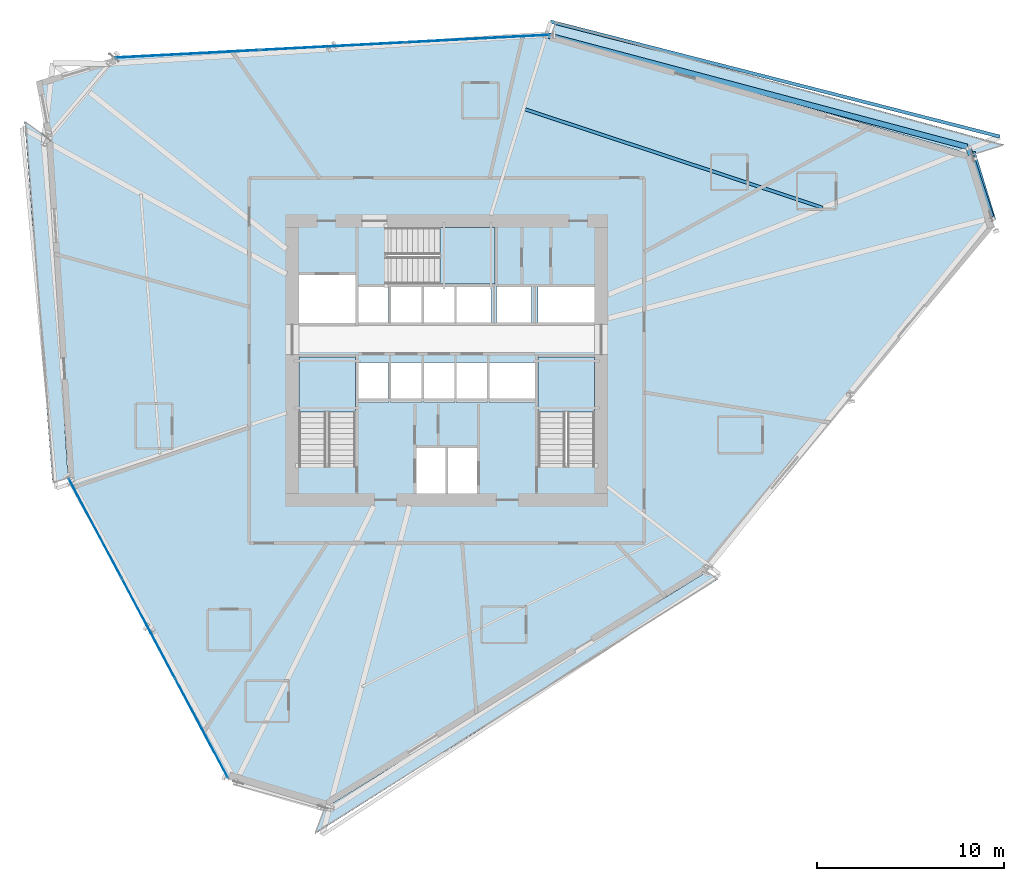
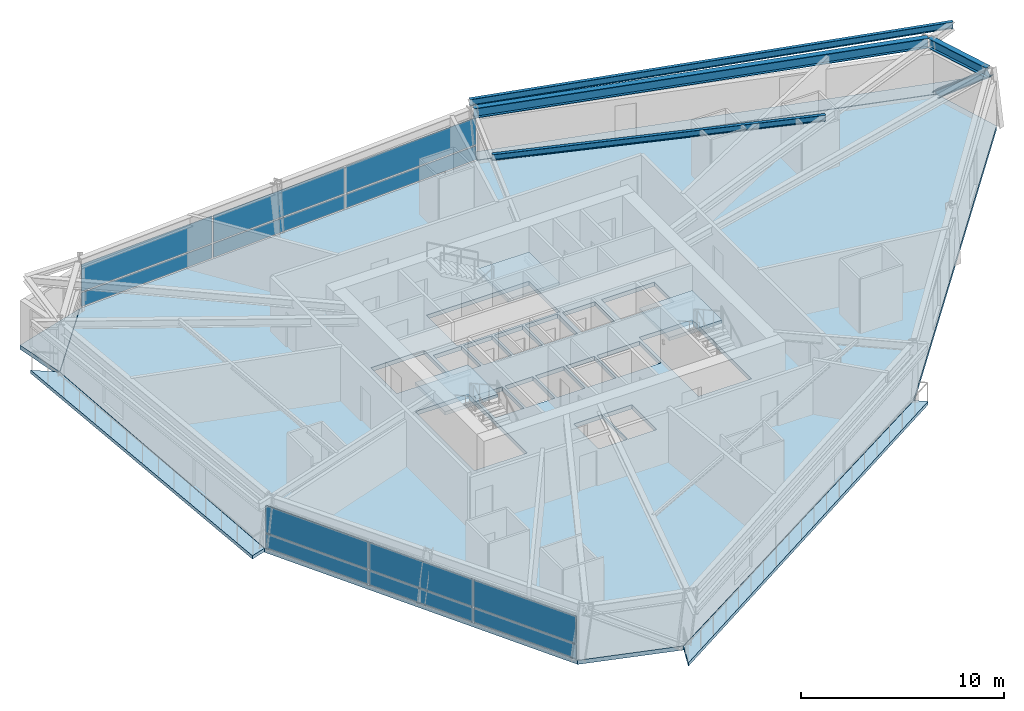
# One storey, part 9 of 21: 12 plates, 8 slabs, 4 beams, 1 member, 5 elements without a shape of their own.
"""IFC4 building model written with IfcOpenShell, lengths in metres."""

from ifc_helpers import new_model, si_unit, direction, frame, origin, origin_2d, place, context, subcontext, project, spatial, polyline, rectangle, i_section, outline, extrude, source, transform, mapped, material, layer, layer_set, material_profile, profile_set, type_object, element, aggregate, save


model = new_model("IFC4")

# Units and contexts
model_context = context("Model", 3, precision=1e-05, world=origin(), true_north=direction((0.0, 1.0)))
body_context = subcontext(model_context, "Body", "Model", "MODEL_VIEW")
ifc_project = project(units=[si_unit("LENGTHUNIT", "METRE"), si_unit("AREAUNIT", "SQUARE_METRE"), si_unit("VOLUMEUNIT", "CUBIC_METRE"), si_unit("PLANEANGLEUNIT", "RADIAN"), si_unit("MASSUNIT", "GRAM", prefix="KILO")], contexts=[model_context])

# Site, building, storey
site_placement = place(None, origin())
site = spatial("IfcSite", under=ifc_project, at=site_placement, CompositionType="ELEMENT")
building_placement = place(site_placement, origin())
building = spatial("IfcBuilding", under=site, at=building_placement, Name="Olszyna Solenne Hotel", CompositionType="ELEMENT")
storey_placement = place(building_placement, frame((0.0, 0.0, 105.699951171875)))
storey = spatial("IfcBuildingStorey", under=building, at=storey_placement, Name="L27", CompositionType="ELEMENT", Elevation=105.699951171875)

# Beams
ifc_material_1 = material(Name="Steel S355J2", Category="steel")
ifc_material_profile_1 = material_profile(ifc_material_1, i_section(OverallWidth=0.300048828125, OverallDepth=0.60009765625, WebThickness=0.015380859375, FlangeThickness=0.030029296875, at=origin_2d()), Name="HEB 600", Category="load-bearing")
ifc_profile_set_1 = profile_set([ifc_material_profile_1], Name="Steel S355J2")
beam_type_1 = type_object("IfcBeamType", Name="BM-S2", PredefinedType="BEAM", material=ifc_profile_set_1)
shared_shape_1 = source(origin(), body_context, "Body", "SweptSolid", [
    extrude(i_section(OverallWidth=0.300048828125, OverallDepth=0.60009765625, WebThickness=0.015380859375, FlangeThickness=0.030029296875, at=origin_2d()), origin(), (0.0, 0.0, 1.0), 3.8603515625),
])
beam_1_placement = place(storey_placement, frame((67.072998046875, 34.271484375, 3.0), z_axis=(-0.311537563109, 0.950233837943, 0.0), x_axis=(-0.950233837943, -0.311537563109, 0.0)))
element("IfcBeam", 1, at=beam_1_placement, inside=storey, type_object=beam_type_1, Name="Perimeter spandrel beam BM-S2 B-L27-0810", PredefinedType="BEAM", context=body_context, shape_type="MappedRepresentation", body=[
    mapped(shared_shape_1, transform((0.0, 0.0, 0.0), x_axis=(1.0, 0.0, 0.0), y_axis=(0.0, 1.0, 0.0), z_axis=(0.0, 0.0, 1.0), scale=1.0)),
])
shared_shape_2 = source(origin(), body_context, "Body", "SweptSolid", [
    extrude(i_section(OverallWidth=0.300048828125, OverallDepth=0.60009765625, WebThickness=0.015380859375, FlangeThickness=0.030029296875, at=origin_2d()), origin(), (0.0, 0.0, 1.0), 23.2333984375),
])
beam_2_placement = place(storey_placement, frame((65.793701171875, 38.011962890625, 3.0), z_axis=(-0.966425826463, 0.256945756817, 0.0), x_axis=(-0.256945756817, -0.966425826463, 0.0)))
element("IfcBeam", 2, at=beam_2_placement, inside=storey, type_object=beam_type_1, Name="Perimeter spandrel beam BM-S2 B-L27-0811", PredefinedType="BEAM", context=body_context, shape_type="MappedRepresentation", body=[
    mapped(shared_shape_2, transform((0.0, 0.0, 0.0), x_axis=(1.0, 0.0, 0.0), y_axis=(0.0, 1.0, 0.0), z_axis=(0.0, 0.0, 1.0), scale=1.0)),
])
ifc_material_profile_2 = material_profile(ifc_material_1, i_section(OverallWidth=0.169921875, OverallDepth=0.360107421875, WebThickness=0.008056640625, FlangeThickness=0.0126953125, at=origin_2d()), Name="IPE 360", Category="load-bearing")
ifc_profile_set_2 = profile_set([ifc_material_profile_2], Name="Steel S355J2")
beam_type_2 = type_object("IfcBeamType", Name="JS-01", PredefinedType="JOIST", material=ifc_profile_set_2)
shared_shape_3 = source(origin(), body_context, "Body", "SweptSolid", [
    extrude(i_section(OverallWidth=0.169921875, OverallDepth=0.360107421875, WebThickness=0.008056640625, FlangeThickness=0.0126953125, at=origin_2d()), origin(), (0.0, 0.0, 1.0), 16.805419921875),
])
beam_3_placement = place(storey_placement, frame((58.077880859375, 34.759033203125, 3.1201171875), z_axis=(-0.949404287156, 0.314056522826, 0.0), x_axis=(-0.314056522826, -0.949404287156, 0.0)))
element("IfcBeam", 3, at=beam_3_placement, inside=storey, type_object=beam_type_2, Name="Secondary composite floor joist JS-01 B-L27-0833", PredefinedType="JOIST", context=body_context, shape_type="MappedRepresentation", body=[
    mapped(shared_shape_3, transform((0.0, 0.0, 0.0), x_axis=(1.0, 0.0, 0.0), y_axis=(0.0, 1.0, 0.0), z_axis=(0.0, 0.0, 1.0), scale=1.0)),
])
ifc_material_profile_3 = material_profile(ifc_material_1, i_section(OverallWidth=0.179931640625, OverallDepth=0.39990234375, WebThickness=0.008544921875, FlangeThickness=0.013427734375, at=origin_2d()), Name="IPE 400", Category="load-bearing")
ifc_profile_set_3 = profile_set([ifc_material_profile_3], Name="Steel S355J2")
beam_type_3 = type_object("IfcBeamType", Name="BM-F5", PredefinedType="BEAM", material=ifc_profile_set_3)
shared_shape_4 = source(origin(), body_context, "Body", "SweptSolid", [
    extrude(i_section(OverallWidth=0.179931640625, OverallDepth=0.39990234375, WebThickness=0.008544921875, FlangeThickness=0.013427734375, at=origin_2d()), origin(), (0.0, 0.0, 1.0), 24.7783203125),
])
beam_4_placement = place(storey_placement, frame((67.541259765625, 38.559326171875, 3.10009765625), z_axis=(-0.968810791381, 0.247801635393, 0.0), x_axis=(-0.247801635393, -0.968810791381, 0.0)))
element("IfcBeam", 4, at=beam_4_placement, inside=storey, type_object=beam_type_3, Name="Loggia outer edge beam BM-F5 B-L27-0836", PredefinedType="BEAM", context=body_context, shape_type="MappedRepresentation", body=[
    mapped(shared_shape_4, transform((0.0, 0.0, 0.0), x_axis=(1.0, 0.0, 0.0), y_axis=(0.0, 1.0, 0.0), z_axis=(0.0, 0.0, 1.0), scale=1.0)),
])

# Member
ifc_material_2 = material(Name="Steel S460M", Category="steel")
ifc_material_profile_4 = material_profile(ifc_material_2, i_section(OverallWidth=0.406005859375, OverallDepth=0.416015625, WebThickness=0.026611328125, FlangeThickness=0.04150390625, at=origin_2d()), Name="HD 400x382", Category="load-bearing")
ifc_profile_set_4 = profile_set([ifc_material_profile_4], Name="Steel S460M")
member_type = type_object("IfcMemberType", Name="BR-T2", PredefinedType="BRACE", material=ifc_profile_set_4)
shared_shape_5 = source(origin(), body_context, "Body", "SweptSolid", [
    extrude(i_section(OverallWidth=0.406005859375, OverallDepth=0.416015625, WebThickness=0.026611328125, FlangeThickness=0.04150390625, at=origin_2d()), origin(), (0.0, 0.0, 1.0), 4.60546875),
])
member_placement = place(storey_placement, frame((66.0634765625, 37.589599609375, 0.010009765625), z_axis=(0.223228168953, -0.73287329275, 0.64270204711), x_axis=(0.956608493033, 0.291376373538, 0.0)))
element("IfcMember", 5, at=member_placement, inside=storey, type_object=member_type, Name="Perimeter braced-tube diagonal BR-T2 BR-L27-1", PredefinedType="BRACE", context=body_context, shape_type="MappedRepresentation", body=[
    mapped(shared_shape_5, transform((0.0, 0.0, 0.0), x_axis=(1.0, 0.0, 0.0), y_axis=(0.0, 1.0, 0.0), z_axis=(0.0, 0.0, 1.0), scale=1.0)),
])

# Stair, slab
ifc_material_3 = material(Name="Concrete C40/50", Category="concrete")
stair_type = type_object("IfcStairType", Name="STR-C1", PredefinedType="TWO_QUARTER_WINDING_STAIR", material=ifc_material_3)
stair_1_placement = place(storey_placement, origin())
stair_1 = element("IfcStair", 6, at=stair_1_placement, inside=storey, type_object=stair_type, Name="L27 ST1", PredefinedType="TWO_QUARTER_WINDING_STAIR")
ifc_layer_1 = layer(ifc_material_3, 0.18994140625, Name="Concrete C40/50")
ifc_layer_set_1 = layer_set([ifc_layer_1], Name="Concrete C40/50")
slab_type_1 = type_object("IfcSlabType", Name="SL-LN190", PredefinedType="LANDING", material=ifc_layer_set_1)
slab_1_placement = place(storey_placement, frame((0.0, 0.0, 1.574951171875)))
slab_1 = element("IfcSlab", 7, at=slab_1_placement, type_object=slab_type_1, Name="ST1 landing 1", PredefinedType="LANDING", context=body_context, shape_type="SweptSolid", body=[
    extrude(outline(polyline([(33.1201171875, 23.85009765625), (33.1201171875, 26.800048828125), (30.10009765625, 26.800048828125), (30.10009765625, 23.85009765625), (33.1201171875, 23.85009765625)])), origin(), (0.0, 0.0, 1.0), 0.2001953125),
])
aggregate(stair_1, [slab_1])

stair_2_placement = place(storey_placement, origin())
stair_2 = element("IfcStair", 8, at=stair_2_placement, inside=storey, type_object=stair_type, Name="L27 ST2", PredefinedType="TWO_QUARTER_WINDING_STAIR")
slab_2_placement = place(storey_placement, frame((0.0, 0.0, 1.574951171875)))
slab_2 = element("IfcSlab", 9, at=slab_2_placement, type_object=slab_type_1, Name="ST2 landing 1", PredefinedType="LANDING", context=body_context, shape_type="SweptSolid", body=[
    extrude(outline(polyline([(45.89990234375, 23.85009765625), (45.89990234375, 26.800048828125), (42.8798828125, 26.800048828125), (42.8798828125, 23.85009765625), (45.89990234375, 23.85009765625)])), origin(), (0.0, 0.0, 1.0), 0.2001953125),
])
aggregate(stair_2, [slab_2])

stair_3_placement = place(storey_placement, origin())
stair_3 = element("IfcStair", 10, at=stair_3_placement, inside=storey, type_object=stair_type, Name="L27 ST3", PredefinedType="TWO_QUARTER_WINDING_STAIR")
slab_3_placement = place(storey_placement, frame((0.0, 0.0, 1.574951171875)))
slab_3 = element("IfcSlab", 11, at=slab_3_placement, type_object=slab_type_1, Name="ST3 landing 1", PredefinedType="LANDING", context=body_context, shape_type="SweptSolid", body=[
    extrude(outline(polyline([(37.6298828125, 30.679931640625), (40.580078125, 30.679931640625), (40.580078125, 33.699951171875), (37.6298828125, 33.699951171875), (37.6298828125, 30.679931640625)])), origin(), (0.0, 0.0, 1.0), 0.2001953125),
])
aggregate(stair_3, [slab_3])

# Slabs
ifc_material_4 = material(Name="Precast concrete C45/55", Category="concrete")
ifc_layer_2 = layer(ifc_material_4, 0.199951171875, Name="Precast concrete C45/55")
ifc_layer_set_2 = layer_set([ifc_layer_2], Name="Precast concrete C45/55")
slab_type_2 = type_object("IfcSlabType", Name="SL-LOG200", PredefinedType="FLOOR", material=ifc_layer_set_2)
slab_4_placement = place(storey_placement, frame((0.0, 0.0, -0.199951171875)))
element("IfcSlab", 12, at=slab_4_placement, inside=storey, type_object=slab_type_2, Name="Exterior loggia balcony slab SL-L27-LG1", PredefinedType="FLOOR", context=body_context, shape_type="SweptSolid", body=[
    extrude(outline(polyline([(43.578857421875, 44.010498046875), (66.067626953125, 37.60400390625), (66.069091796875, 37.603515625), (66.0703125, 37.602783203125), (66.07177734375, 37.60205078125), (66.072998046875, 37.601318359375), (66.073974609375, 37.60009765625), (66.074951171875, 37.59912109375), (66.075927734375, 37.597900390625), (66.07666015625, 37.5966796875), (66.077392578125, 37.59521484375), (66.077880859375, 37.593994140625), (67.761962890625, 38.125732421875), (43.837890625, 44.694580078125), (43.578857421875, 44.010498046875)])), origin(), (0.0, 0.0, 1.0), 0.199951171875),
])
slab_5_placement = place(storey_placement, frame((0.0, 0.0, -0.199951171875)))
element("IfcSlab", 13, at=slab_5_placement, inside=storey, type_object=slab_type_2, Name="Exterior loggia balcony slab SL-L27-LG2", PredefinedType="FLOOR", context=body_context, shape_type="SweptSolid", body=[
    extrude(outline(polyline([(17.77490234375, 20.33203125), (17.774658203125, 20.33251953125), (17.7744140625, 20.333984375), (17.774169921875, 20.335693359375), (16.60400390625, 38.519287109375), (16.601318359375, 38.5341796875), (15.449462890625, 39.381591796875), (16.93994140625, 20.068603515625), (17.77490234375, 20.33203125)])), origin(), (0.0, 0.0, 1.0), 0.199951171875),
])
slab_6_placement = place(storey_placement, frame((0.0, 0.0, -0.199951171875)))
element("IfcSlab", 14, at=slab_6_placement, inside=storey, type_object=slab_type_2, Name="Exterior loggia balcony slab SL-L27-LG3", PredefinedType="FLOOR", context=body_context, shape_type="SweptSolid", body=[
    extrude(outline(polyline([(51.903076171875, 15.324462890625), (51.90234375, 15.32373046875), (51.9013671875, 15.322509765625), (51.900146484375, 15.321533203125), (51.898681640625, 15.320556640625), (31.499267578125, 2.704833984375), (31.498046875, 2.704345703125), (31.49658203125, 2.70361328125), (31.495361328125, 2.703369140625), (31.493896484375, 2.702880859375), (31.49267578125, 2.702880859375), (31.4912109375, 2.70263671875), (31.48974609375, 2.702880859375), (31.48828125, 2.702880859375), (31.487060546875, 2.703369140625), (31.486083984375, 2.70361328125), (30.96240234375, 1.3212890625), (52.4755859375, 14.9033203125), (51.903076171875, 15.324462890625)])), origin(), (0.0, 0.0, 1.0), 0.199951171875),
])
ifc_material_5 = material(Name="Concrete C50/60", Category="concrete")
ifc_layer_3 = layer(ifc_material_5, 0.25, Name="Concrete C50/60")
ifc_layer_set_3 = layer_set([ifc_layer_3], Name="Concrete C50/60")
slab_type_3 = type_object("IfcSlabType", Name="SL-TW250", PredefinedType="FLOOR", material=ifc_layer_set_3)
slab_7_placement = place(storey_placement, frame((0.0, 0.0, -0.25)))
element("IfcSlab", 15, at=slab_7_placement, inside=storey, type_object=slab_type_3, Name="Floor slab SL-TW250 SL-L27-01", PredefinedType="FLOOR", context=body_context, shape_type="SweptSolid", body=[
    extrude(outline(polyline([(67.25537109375, 33.751708984375), (66.0634765625, 37.589599609375), (43.573486328125, 43.99658203125), (20.22119140625, 42.769287109375), (16.618896484375, 38.521240234375), (17.7890625, 20.336669921875), (26.349853515625, 4.25048828125), (31.4912109375, 2.7177734375), (51.890869140625, 15.33349609375), (67.25537109375, 33.751708984375)]), holes=[polyline([(30.10009765625, 20.949951171875), (33.1201171875, 20.949951171875), (33.1201171875, 26.800048828125), (30.10009765625, 26.800048828125), (30.10009765625, 20.949951171875)]), polyline([(42.8798828125, 20.949951171875), (45.89990234375, 20.949951171875), (45.89990234375, 26.800048828125), (42.8798828125, 26.800048828125), (42.8798828125, 20.949951171875)]), polyline([(34.72998046875, 30.679931640625), (40.580078125, 30.679931640625), (40.580078125, 33.699951171875), (34.72998046875, 33.699951171875), (34.72998046875, 30.679931640625)]), polyline([(36.340087890625, 19.5), (37.9599609375, 19.5), (37.9599609375, 21.9599609375), (36.340087890625, 21.9599609375), (36.340087890625, 19.5)]), polyline([(38.0400390625, 19.5), (39.659912109375, 19.5), (39.659912109375, 21.9599609375), (38.0400390625, 21.9599609375), (38.0400390625, 19.5)]), polyline([(30.10009765625, 28.60009765625), (33.1201171875, 28.60009765625), (33.1201171875, 31.159912109375), (30.10009765625, 31.159912109375), (30.10009765625, 28.60009765625)]), polyline([(33.280029296875, 24.360107421875), (34.89990234375, 24.360107421875), (34.89990234375, 26.5), (33.280029296875, 26.5), (33.280029296875, 24.360107421875)]), polyline([(35.030029296875, 24.360107421875), (36.64990234375, 24.360107421875), (36.64990234375, 26.5), (35.030029296875, 26.5), (35.030029296875, 24.360107421875)]), polyline([(36.780029296875, 24.360107421875), (38.39990234375, 24.360107421875), (38.39990234375, 26.5), (36.780029296875, 26.5), (36.780029296875, 24.360107421875)]), polyline([(38.530029296875, 24.360107421875), (40.14990234375, 24.360107421875), (40.14990234375, 26.5), (38.530029296875, 26.5), (38.530029296875, 24.360107421875)]), polyline([(40.280029296875, 24.360107421875), (42.719970703125, 24.360107421875), (42.719970703125, 26.5), (40.280029296875, 26.5), (40.280029296875, 24.360107421875)]), polyline([(33.280029296875, 28.60009765625), (34.89990234375, 28.60009765625), (34.89990234375, 30.550048828125), (33.280029296875, 30.550048828125), (33.280029296875, 28.60009765625)]), polyline([(35.030029296875, 28.60009765625), (36.64990234375, 28.60009765625), (36.64990234375, 30.550048828125), (35.030029296875, 30.550048828125), (35.030029296875, 28.60009765625)]), polyline([(36.780029296875, 28.60009765625), (38.39990234375, 28.60009765625), (38.39990234375, 30.550048828125), (36.780029296875, 30.550048828125), (36.780029296875, 28.60009765625)]), polyline([(38.530029296875, 28.60009765625), (40.389892578125, 28.60009765625), (40.389892578125, 30.550048828125), (38.530029296875, 30.550048828125), (38.530029296875, 28.60009765625)]), polyline([(40.659912109375, 28.60009765625), (42.52001953125, 28.60009765625), (42.52001953125, 30.550048828125), (40.659912109375, 30.550048828125), (40.659912109375, 28.60009765625)]), polyline([(42.8798828125, 28.60009765625), (45.89990234375, 28.60009765625), (45.89990234375, 30.550048828125), (42.8798828125, 30.550048828125), (42.8798828125, 28.60009765625)])]), origin(), (0.0, 0.0, 1.0), 0.25),
])
slab_8_placement = place(storey_placement, frame((0.0, 0.0, -0.25)))
element("IfcSlab", 16, at=slab_8_placement, inside=storey, type_object=slab_type_3, Name="Faceted glass-prism floor slab SL-L27-PR", PredefinedType="FLOOR", context=body_context, shape_type="SweptSolid", body=[
    extrude(outline(polyline([(16.61669921875, 38.533935546875), (20.203369140625, 42.763916015625), (16.067626953125, 41.504638671875), (16.61669921875, 38.533935546875)])), origin(), (0.0, 0.0, 1.0), 0.25),
])

# Curtain wall, plates
ifc_material_6 = material(Name="Anodised bronze aluminium", Category="aluminium")
curtain_wall_type = type_object("IfcCurtainWallType", Name="CW-SYS-3", PredefinedType="NOTDEFINED", material=ifc_material_6)
curtain_wall_1_placement = place(storey_placement, origin())
curtain_wall_1 = element("IfcCurtainWall", 17, at=curtain_wall_1_placement, inside=storey, type_object=curtain_wall_type, Name="Unitised curtain wall CW-SYS-3 CW-L27-01", PredefinedType="NOTDEFINED")
ifc_material_7 = material(Name="Terracotta cladding", Category="masonry")
plate_type_1 = type_object("IfcPlateType", Name="PN-SP1", PredefinedType="CURTAIN_PANEL", material=ifc_material_7)
shared_shape_6 = source(origin(), body_context, "Body", "SweptSolid", [
    extrude(rectangle(XDim=5.961669921875, YDim=0.035888671875, at=origin_2d()), origin(), (0.0, 0.0, 1.0), 0.83740234375),
])
plate_1_placement = place(storey_placement, frame((19.224609375, 17.638916015625, 0.0751953125), z_axis=(0.0, 0.0, 1.0), x_axis=(0.46979307458, -0.882776566905, 0.0)))
plate_1 = element("IfcPlate", 18, at=plate_1_placement, type_object=plate_type_1, Name="Curtain-wall panel PN-SP1 CP-L27-01-01", PredefinedType="CURTAIN_PANEL", context=body_context, shape_type="MappedRepresentation", body=[
    mapped(shared_shape_6, transform((0.0, 0.0, 0.0), x_axis=(1.0, 0.0, 0.0), y_axis=(0.0, 1.0, 0.0), z_axis=(0.0, 0.0, 1.0), scale=1.0)),
])
plate_2_placement = place(storey_placement, frame((24.914306640625, 6.947998046875, 0.0751953125), z_axis=(0.0, 0.0, 1.0), x_axis=(0.46979307458, -0.882776566905, 0.0)))
plate_2 = element("IfcPlate", 19, at=plate_2_placement, type_object=plate_type_1, Name="Curtain-wall panel PN-SP1 CP-L27-01-05", PredefinedType="CURTAIN_PANEL", context=body_context, shape_type="MappedRepresentation", body=[
    mapped(shared_shape_6, transform((0.0, 0.0, 0.0), x_axis=(1.0, 0.0, 0.0), y_axis=(0.0, 1.0, 0.0), z_axis=(0.0, 0.0, 1.0), scale=1.0)),
])
ifc_material_8 = material(Name="Low-E triple glazing", Category="glass")
plate_type_2 = type_object("IfcPlateType", Name="PN-GL1", PredefinedType="CURTAIN_PANEL", material=ifc_material_8)
shared_shape_7 = source(origin(), body_context, "Body", "SweptSolid", [
    extrude(rectangle(XDim=5.961669921875, YDim=0.035888671875, at=origin_2d()), origin(), (0.0, 0.0, 1.0), 1.62939453125),
])
plate_3_placement = place(storey_placement, frame((19.224609375, 17.638916015625, 0.987548828125), z_axis=(0.0, 0.0, 1.0), x_axis=(0.46979307458, -0.882776566905, 0.0)))
plate_3 = element("IfcPlate", 20, at=plate_3_placement, type_object=plate_type_2, Name="Curtain-wall panel PN-GL1 CP-L27-01-02", PredefinedType="CURTAIN_PANEL", context=body_context, shape_type="MappedRepresentation", body=[
    mapped(shared_shape_7, transform((0.0, 0.0, 0.0), x_axis=(1.0, 0.0, 0.0), y_axis=(0.0, 1.0, 0.0), z_axis=(0.0, 0.0, 1.0), scale=1.0)),
])
plate_4_placement = place(storey_placement, frame((24.914306640625, 6.947998046875, 0.987548828125), z_axis=(0.0, 0.0, 1.0), x_axis=(0.46979307458, -0.882776566905, 0.0)))
plate_4 = element("IfcPlate", 21, at=plate_4_placement, type_object=plate_type_2, Name="Curtain-wall panel PN-GL1 CP-L27-01-06", PredefinedType="CURTAIN_PANEL", context=body_context, shape_type="MappedRepresentation", body=[
    mapped(shared_shape_7, transform((0.0, 0.0, 0.0), x_axis=(1.0, 0.0, 0.0), y_axis=(0.0, 1.0, 0.0), z_axis=(0.0, 0.0, 1.0), scale=1.0)),
])
shared_shape_8 = source(origin(), body_context, "Body", "SweptSolid", [
    extrude(rectangle(XDim=5.9990234375, YDim=0.035888671875, at=origin_2d()), origin(), (0.0, 0.0, 1.0), 0.83740234375),
])
plate_5_placement = place(storey_placement, frame((22.0693359375, 12.29345703125, 0.0751953125), z_axis=(0.0, 0.0, 1.0), x_axis=(0.46979307458, -0.882776566905, 0.0)))
plate_5 = element("IfcPlate", 22, at=plate_5_placement, type_object=plate_type_1, Name="Curtain-wall panel PN-SP1 CP-L27-01-03", PredefinedType="CURTAIN_PANEL", context=body_context, shape_type="MappedRepresentation", body=[
    mapped(shared_shape_8, transform((0.0, 0.0, 0.0), x_axis=(1.0, 0.0, 0.0), y_axis=(0.0, 1.0, 0.0), z_axis=(0.0, 0.0, 1.0), scale=1.0)),
])
shared_shape_9 = source(origin(), body_context, "Body", "SweptSolid", [
    extrude(rectangle(XDim=5.9990234375, YDim=0.035888671875, at=origin_2d()), origin(), (0.0, 0.0, 1.0), 1.62939453125),
])
plate_6_placement = place(storey_placement, frame((22.0693359375, 12.29345703125, 0.987548828125), z_axis=(0.0, 0.0, 1.0), x_axis=(0.46979307458, -0.882776566905, 0.0)))
plate_6 = element("IfcPlate", 23, at=plate_6_placement, type_object=plate_type_2, Name="Curtain-wall panel PN-GL1 CP-L27-01-04", PredefinedType="CURTAIN_PANEL", context=body_context, shape_type="MappedRepresentation", body=[
    mapped(shared_shape_9, transform((0.0, 0.0, 0.0), x_axis=(1.0, 0.0, 0.0), y_axis=(0.0, 1.0, 0.0), z_axis=(0.0, 0.0, 1.0), scale=1.0)),
])
aggregate(curtain_wall_1, [plate_1, plate_3, plate_5, plate_6, plate_2, plate_4])

curtain_wall_2_placement = place(storey_placement, origin())
curtain_wall_2 = element("IfcCurtainWall", 24, at=curtain_wall_2_placement, inside=storey, type_object=curtain_wall_type, Name="Unitised curtain wall CW-SYS-3 CW-L27-02", PredefinedType="NOTDEFINED")
shared_shape_10 = source(origin(), body_context, "Body", "SweptSolid", [
    extrude(rectangle(XDim=7.682373046875, YDim=0.035888671875, at=origin_2d()), origin(), (0.0, 0.0, 1.0), 0.83740234375),
])
plate_7_placement = place(storey_placement, frame((24.1318359375, 42.974853515625, 0.0751953125), z_axis=(0.0, 0.0, 1.0), x_axis=(0.998621819235, 0.052482970069, 0.0)))
plate_7 = element("IfcPlate", 25, at=plate_7_placement, type_object=plate_type_1, Name="Curtain-wall panel PN-SP1 CP-L27-02-01", PredefinedType="CURTAIN_PANEL", context=body_context, shape_type="MappedRepresentation", body=[
    mapped(shared_shape_10, transform((0.0, 0.0, 0.0), x_axis=(1.0, 0.0, 0.0), y_axis=(0.0, 1.0, 0.0), z_axis=(0.0, 0.0, 1.0), scale=1.0)),
])
plate_8_placement = place(storey_placement, frame((39.662841796875, 43.791015625, 0.0751953125), z_axis=(0.0, 0.0, 1.0), x_axis=(0.998621819235, 0.052482970069, 0.0)))
plate_8 = element("IfcPlate", 26, at=plate_8_placement, type_object=plate_type_1, Name="Curtain-wall panel PN-SP1 CP-L27-02-05", PredefinedType="CURTAIN_PANEL", context=body_context, shape_type="MappedRepresentation", body=[
    mapped(shared_shape_10, transform((0.0, 0.0, 0.0), x_axis=(1.0, 0.0, 0.0), y_axis=(0.0, 1.0, 0.0), z_axis=(0.0, 0.0, 1.0), scale=1.0)),
])
shared_shape_11 = source(origin(), body_context, "Body", "SweptSolid", [
    extrude(rectangle(XDim=7.682373046875, YDim=0.035888671875, at=origin_2d()), origin(), (0.0, 0.0, 1.0), 1.62939453125),
])
plate_9_placement = place(storey_placement, frame((24.1318359375, 42.974853515625, 0.987548828125), z_axis=(0.0, 0.0, 1.0), x_axis=(0.998621819235, 0.052482970069, 0.0)))
plate_9 = element("IfcPlate", 27, at=plate_9_placement, type_object=plate_type_2, Name="Curtain-wall panel PN-GL1 CP-L27-02-02", PredefinedType="CURTAIN_PANEL", context=body_context, shape_type="MappedRepresentation", body=[
    mapped(shared_shape_11, transform((0.0, 0.0, 0.0), x_axis=(1.0, 0.0, 0.0), y_axis=(0.0, 1.0, 0.0), z_axis=(0.0, 0.0, 1.0), scale=1.0)),
])
plate_10_placement = place(storey_placement, frame((39.662841796875, 43.791015625, 0.987548828125), z_axis=(0.0, 0.0, 1.0), x_axis=(0.998621819235, 0.052482970069, 0.0)))
plate_10 = element("IfcPlate", 28, at=plate_10_placement, type_object=plate_type_2, Name="Curtain-wall panel PN-GL1 CP-L27-02-06", PredefinedType="CURTAIN_PANEL", context=body_context, shape_type="MappedRepresentation", body=[
    mapped(shared_shape_11, transform((0.0, 0.0, 0.0), x_axis=(1.0, 0.0, 0.0), y_axis=(0.0, 1.0, 0.0), z_axis=(0.0, 0.0, 1.0), scale=1.0)),
])
shared_shape_12 = source(origin(), body_context, "Body", "SweptSolid", [
    extrude(rectangle(XDim=7.719970703125, YDim=0.035888671875, at=origin_2d()), origin(), (0.0, 0.0, 1.0), 0.83740234375),
])
plate_11_placement = place(storey_placement, frame((31.8974609375, 43.3828125, 0.0751953125), z_axis=(0.0, 0.0, 1.0), x_axis=(0.998621819235, 0.052482970069, 0.0)))
plate_11 = element("IfcPlate", 29, at=plate_11_placement, type_object=plate_type_1, Name="Curtain-wall panel PN-SP1 CP-L27-02-03", PredefinedType="CURTAIN_PANEL", context=body_context, shape_type="MappedRepresentation", body=[
    mapped(shared_shape_12, transform((0.0, 0.0, 0.0), x_axis=(1.0, 0.0, 0.0), y_axis=(0.0, 1.0, 0.0), z_axis=(0.0, 0.0, 1.0), scale=1.0)),
])
shared_shape_13 = source(origin(), body_context, "Body", "SweptSolid", [
    extrude(rectangle(XDim=7.719970703125, YDim=0.035888671875, at=origin_2d()), origin(), (0.0, 0.0, 1.0), 1.62939453125),
])
plate_12_placement = place(storey_placement, frame((31.8974609375, 43.3828125, 0.987548828125), z_axis=(0.0, 0.0, 1.0), x_axis=(0.998621819235, 0.052482970069, 0.0)))
plate_12 = element("IfcPlate", 30, at=plate_12_placement, type_object=plate_type_2, Name="Curtain-wall panel PN-GL1 CP-L27-02-04", PredefinedType="CURTAIN_PANEL", context=body_context, shape_type="MappedRepresentation", body=[
    mapped(shared_shape_13, transform((0.0, 0.0, 0.0), x_axis=(1.0, 0.0, 0.0), y_axis=(0.0, 1.0, 0.0), z_axis=(0.0, 0.0, 1.0), scale=1.0)),
])
aggregate(curtain_wall_2, [plate_7, plate_9, plate_11, plate_12, plate_8, plate_10])

save(model, "model.ifc")
